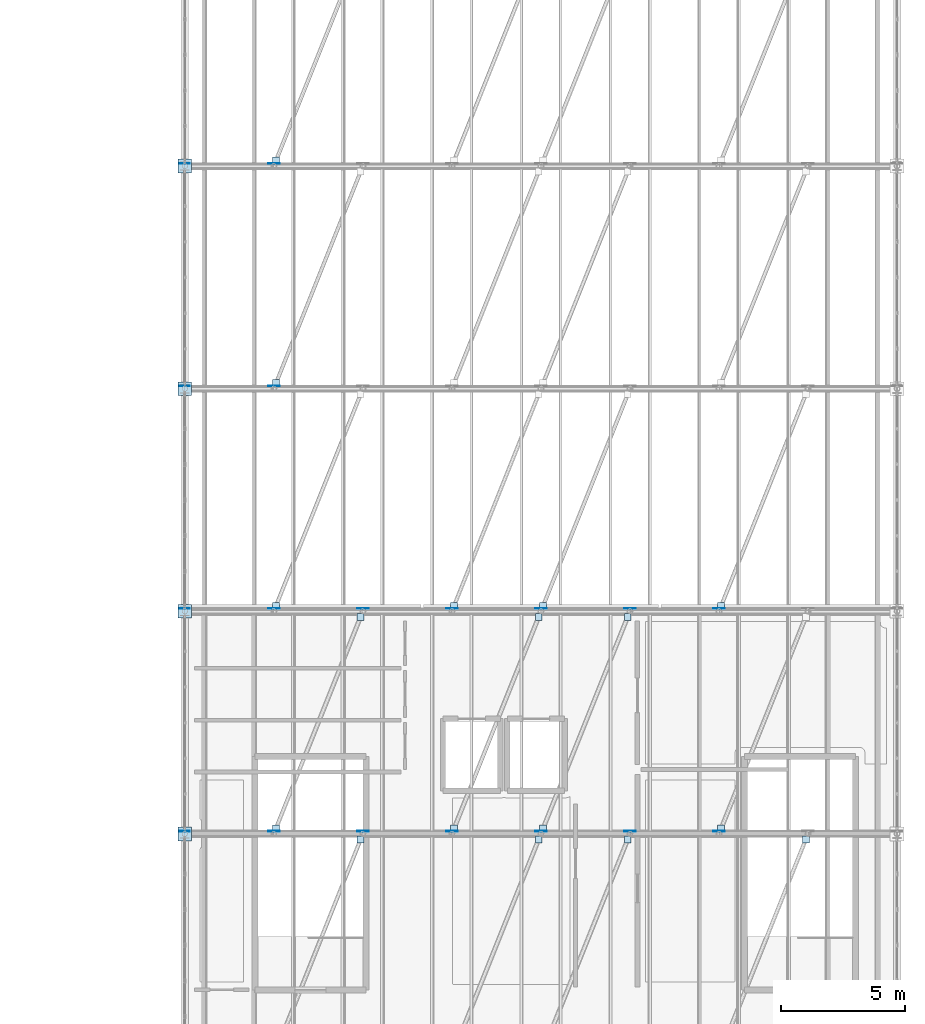
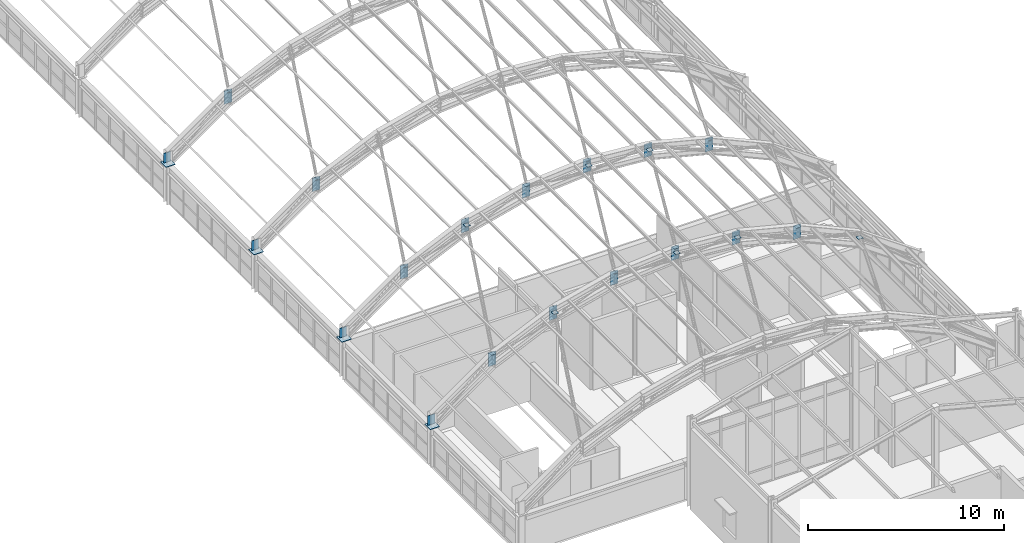
# One storey, part 109 of 121: 39 plates.
"""IFC4 building model written with IfcOpenShell, lengths in metres."""

from ifc_helpers import new_model, si_unit, direction, frame, origin, origin_2d, place, context, subcontext, project, spatial, rectangle, extrude, material, layer, layer_set, type_object, element, save


model = new_model("IFC4")

# Units and contexts
model_context = context("Model", 3, precision=1e-05, world=origin(), true_north=direction((0.0, 1.0)))
body_context = subcontext(model_context, "Body", "Model", "MODEL_VIEW")
ifc_project = project(units=[si_unit("LENGTHUNIT", "METRE"), si_unit("AREAUNIT", "SQUARE_METRE"), si_unit("VOLUMEUNIT", "CUBIC_METRE"), si_unit("PLANEANGLEUNIT", "RADIAN"), si_unit("MASSUNIT", "GRAM", prefix="KILO")], contexts=[model_context])

# Site, building, storey
site_placement = place(None, origin())
site = spatial("IfcSite", under=ifc_project, at=site_placement, CompositionType="ELEMENT")
building_placement = place(site_placement, origin())
building = spatial("IfcBuilding", under=site, at=building_placement, Name="Canglan Escarpment Cableway Terminal", CompositionType="ELEMENT")
storey_placement = place(building_placement, frame((0.0, 0.0, 24.60009765625)))
storey = spatial("IfcBuildingStorey", under=building, at=storey_placement, Name="L05", CompositionType="ELEMENT", Elevation=24.60009765625)

# Plates
ifc_material = material(Name="Steel Q355B", Category="steel")
ifc_layer_1 = layer(ifc_material, 0.031982421875, Name="Steel Q355B")
ifc_layer_set_1 = layer_set([ifc_layer_1], Name="Steel Q355B")
plate_type_1 = type_object("IfcPlateType", Name="PLT-BASE-32", PredefinedType="USERDEFINED", material=ifc_layer_set_1)
for number, where, z_axis, x_axis, name in (
    (1, (137.60009765625, 43.0, 2.4326171875), (0.0, 0.0, 1.0), (1.0, 0.0, 0.0), "Arch springing base plate BP-01"),
    (2, (137.60009765625, 52.0, 2.4326171875), (0.0, 0.0, 1.0), (1.0, 0.0, 0.0), "Arch springing base plate BP-01"),
    (3, (137.60009765625, 61.0, 2.4326171875), (0.0, 0.0, 1.0), (1.0, 0.0, 0.0), "Arch springing base plate BP-01"),
    (4, (137.60009765625, 70.0, 2.4326171875), (0.0, 0.0, 1.0), (1.0, 0.0, 0.0), "Arch springing base plate BP-01"),
):
    element("IfcPlate", number, at=place(storey_placement, frame(where, z_axis=z_axis, x_axis=x_axis)), inside=storey, type_object=plate_type_1, Name=name, ObjectType="BASE PLATE", PredefinedType="USERDEFINED", context=body_context, shape_type="SweptSolid", body=[
        extrude(rectangle(XDim=0.56005859375, YDim=0.56005859375, at=origin_2d()), origin(), (0.0, 0.0, 1.0), 0.031982421875),
    ])
ifc_layer_2 = layer(ifc_material, 0.01611328125, Name="Steel Q355B")
ifc_layer_set_2 = layer_set([ifc_layer_2], Name="Steel Q355B")
plate_type_2 = type_object("IfcPlateType", Name="PLT-GUSSET-16", PredefinedType="USERDEFINED", material=ifc_layer_set_2)
for number, where, z_axis, x_axis, name in (
    (5, (144.7109375, 42.777099609375, 7.140380859375), (0.0, 0.0, 1.0), (1.0, 0.0, 0.0), "Roof wind brace end gusset plate GP-03"),
    (6, (151.910888671875, 42.777099609375, 8.351806640625), (0.0, 0.0, 1.0), (1.0, 0.0, 0.0), "Roof wind brace end gusset plate GP-03"),
    (7, (155.510986328125, 42.777099609375, 8.055419921875), (0.0, 0.0, 1.0), (1.0, 0.0, 0.0), "Roof wind brace end gusset plate GP-03"),
    (8, (162.7109375, 42.777099609375, 5.5185546875), (0.0, 0.0, 1.0), (1.0, 0.0, 0.0), "Roof wind brace end gusset plate GP-03"),
    (9, (141.2890625, 43.222900390625, 5.5185546875), (0.0, 0.0, 1.0), (1.0, 0.0, 0.0), "Roof wind brace end gusset plate GP-03"),
    (10, (144.7109375, 51.777099609375, 7.140380859375), (0.0, 0.0, 1.0), (1.0, 0.0, 0.0), "Roof wind brace end gusset plate GP-03"),
    (11, (148.489013671875, 43.222900390625, 8.055419921875), (0.0, 0.0, 1.0), (1.0, 0.0, 0.0), "Roof wind brace end gusset plate GP-03"),
    (12, (151.910888671875, 51.777099609375, 8.351806640625), (0.0, 0.0, 1.0), (1.0, 0.0, 0.0), "Roof wind brace end gusset plate GP-03"),
    (13, (152.089111328125, 43.222900390625, 8.351806640625), (0.0, 0.0, 1.0), (1.0, 0.0, 0.0), "Roof wind brace end gusset plate GP-03"),
    (14, (155.510986328125, 51.777099609375, 8.055419921875), (0.0, 0.0, 1.0), (1.0, 0.0, 0.0), "Roof wind brace end gusset plate GP-03"),
    (15, (159.2890625, 43.222900390625, 7.140380859375), (0.0, 0.0, 1.0), (1.0, 0.0, 0.0), "Roof wind brace end gusset plate GP-03"),
    (16, (141.2890625, 52.222900390625, 5.5185546875), (0.0, 0.0, 1.0), (1.0, 0.0, 0.0), "Roof wind brace end gusset plate GP-03"),
    (17, (148.489013671875, 52.222900390625, 8.055419921875), (0.0, 0.0, 1.0), (1.0, 0.0, 0.0), "Roof wind brace end gusset plate GP-03"),
    (18, (152.089111328125, 52.222900390625, 8.351806640625), (0.0, 0.0, 1.0), (1.0, 0.0, 0.0), "Roof wind brace end gusset plate GP-03"),
    (19, (159.2890625, 52.222900390625, 7.140380859375), (0.0, 0.0, 1.0), (1.0, 0.0, 0.0), "Roof wind brace end gusset plate GP-03"),
    (20, (141.2890625, 61.222900390625, 5.5185546875), (0.0, 0.0, 1.0), (1.0, 0.0, 0.0), "Roof wind brace end gusset plate GP-03"),
    (21, (141.2890625, 70.222900390625, 5.5185546875), (0.0, 0.0, 1.0), (1.0, 0.0, 0.0), "Roof wind brace end gusset plate GP-03"),
):
    element("IfcPlate", number, at=place(storey_placement, frame(where, z_axis=z_axis, x_axis=x_axis)), inside=storey, type_object=plate_type_2, Name=name, ObjectType="GUSSET PLATE", PredefinedType="USERDEFINED", context=body_context, shape_type="SweptSolid", body=[
        extrude(rectangle(XDim=0.280029296875, YDim=0.280029296875, at=origin_2d()), origin(), (0.0, 0.0, 1.0), 0.01611328125),
    ])
ifc_layer_3 = layer(ifc_material, 0.02392578125, Name="Steel Q355B")
ifc_layer_set_3 = layer_set([ifc_layer_3], Name="Steel Q355B")
plate_type_3 = type_object("IfcPlateType", Name="PLT-GUSSET-24", PredefinedType="USERDEFINED", material=ifc_layer_set_3)
for number, where, z_axis, x_axis, name in (
    (22, (141.199951171875, 43.10498046875, 4.87646484375), (0.0, 0.0, 1.0), (1.0, 0.0, 0.0), "Arch-truss node gusset plate GP-01"),
    (23, (144.800048828125, 43.10498046875, 6.498291015625), (0.0, 0.0, 1.0), (1.0, 0.0, 0.0), "Arch-truss node gusset plate GP-01"),
    (24, (148.39990234375, 43.10498046875, 7.413330078125), (0.0, 0.0, 1.0), (1.0, 0.0, 0.0), "Arch-truss node gusset plate GP-01"),
    (25, (152.0, 43.10498046875, 7.7099609375), (0.0, 0.0, 1.0), (1.0, 0.0, 0.0), "Arch-truss node gusset plate GP-01"),
    (26, (155.60009765625, 43.10498046875, 7.413330078125), (0.0, 0.0, 1.0), (1.0, 0.0, 0.0), "Arch-truss node gusset plate GP-01"),
    (27, (159.199951171875, 43.10498046875, 6.498291015625), (0.0, 0.0, 1.0), (1.0, 0.0, 0.0), "Arch-truss node gusset plate GP-01"),
):
    element("IfcPlate", number, at=place(storey_placement, frame(where, z_axis=z_axis, x_axis=x_axis)), inside=storey, type_object=plate_type_3, Name=name, ObjectType="GUSSET PLATE", PredefinedType="USERDEFINED", context=body_context, shape_type="SweptSolid", body=[
        extrude(rectangle(XDim=0.4599609375, YDim=0.02392578125, at=origin_2d()), origin(), (0.0, 0.0, 1.0), 0.830078125),
    ])
plate_1_placement = place(storey_placement, frame((137.60009765625, 43.10498046875, 2.4521484375), z_axis=(0.0, 0.0, 1.0), x_axis=(1.0, 0.0, 0.0)))
element("IfcPlate", 28, at=plate_1_placement, inside=storey, type_object=plate_type_3, Name="Arch-truss springing gusset plate GP-01", ObjectType="GUSSET PLATE", PredefinedType="USERDEFINED", context=body_context, shape_type="SweptSolid", body=[
    extrude(rectangle(XDim=0.419921875, YDim=0.02392578125, at=origin_2d()), origin(), (0.0, 0.0, 1.0), 0.610107421875),
])
for number, where, z_axis, x_axis, name in (
    (29, (141.199951171875, 52.10498046875, 4.87646484375), (0.0, 0.0, 1.0), (1.0, 0.0, 0.0), "Arch-truss node gusset plate GP-01"),
    (30, (144.800048828125, 52.10498046875, 6.498291015625), (0.0, 0.0, 1.0), (1.0, 0.0, 0.0), "Arch-truss node gusset plate GP-01"),
    (31, (148.39990234375, 52.10498046875, 7.413330078125), (0.0, 0.0, 1.0), (1.0, 0.0, 0.0), "Arch-truss node gusset plate GP-01"),
    (32, (152.0, 52.10498046875, 7.7099609375), (0.0, 0.0, 1.0), (1.0, 0.0, 0.0), "Arch-truss node gusset plate GP-01"),
    (33, (155.60009765625, 52.10498046875, 7.413330078125), (0.0, 0.0, 1.0), (1.0, 0.0, 0.0), "Arch-truss node gusset plate GP-01"),
    (34, (159.199951171875, 52.10498046875, 6.498291015625), (0.0, 0.0, 1.0), (1.0, 0.0, 0.0), "Arch-truss node gusset plate GP-01"),
):
    element("IfcPlate", number, at=place(storey_placement, frame(where, z_axis=z_axis, x_axis=x_axis)), inside=storey, type_object=plate_type_3, Name=name, ObjectType="GUSSET PLATE", PredefinedType="USERDEFINED", context=body_context, shape_type="SweptSolid", body=[
        extrude(rectangle(XDim=0.4599609375, YDim=0.02392578125, at=origin_2d()), origin(), (0.0, 0.0, 1.0), 0.830078125),
    ])
plate_2_placement = place(storey_placement, frame((137.60009765625, 52.10498046875, 2.4521484375), z_axis=(0.0, 0.0, 1.0), x_axis=(1.0, 0.0, 0.0)))
element("IfcPlate", 35, at=plate_2_placement, inside=storey, type_object=plate_type_3, Name="Arch-truss springing gusset plate GP-01", ObjectType="GUSSET PLATE", PredefinedType="USERDEFINED", context=body_context, shape_type="SweptSolid", body=[
    extrude(rectangle(XDim=0.419921875, YDim=0.02392578125, at=origin_2d()), origin(), (0.0, 0.0, 1.0), 0.610107421875),
])
plate_3_placement = place(storey_placement, frame((141.199951171875, 61.10498046875, 4.87646484375), z_axis=(0.0, 0.0, 1.0), x_axis=(1.0, 0.0, 0.0)))
element("IfcPlate", 36, at=plate_3_placement, inside=storey, type_object=plate_type_3, Name="Arch-truss node gusset plate GP-01", ObjectType="GUSSET PLATE", PredefinedType="USERDEFINED", context=body_context, shape_type="SweptSolid", body=[
    extrude(rectangle(XDim=0.4599609375, YDim=0.02392578125, at=origin_2d()), origin(), (0.0, 0.0, 1.0), 0.830078125),
])
plate_4_placement = place(storey_placement, frame((137.60009765625, 61.10498046875, 2.4521484375), z_axis=(0.0, 0.0, 1.0), x_axis=(1.0, 0.0, 0.0)))
element("IfcPlate", 37, at=plate_4_placement, inside=storey, type_object=plate_type_3, Name="Arch-truss springing gusset plate GP-01", ObjectType="GUSSET PLATE", PredefinedType="USERDEFINED", context=body_context, shape_type="SweptSolid", body=[
    extrude(rectangle(XDim=0.419921875, YDim=0.02392578125, at=origin_2d()), origin(), (0.0, 0.0, 1.0), 0.610107421875),
])
plate_5_placement = place(storey_placement, frame((141.199951171875, 70.10498046875, 4.87646484375), z_axis=(0.0, 0.0, 1.0), x_axis=(1.0, 0.0, 0.0)))
element("IfcPlate", 38, at=plate_5_placement, inside=storey, type_object=plate_type_3, Name="Arch-truss node gusset plate GP-01", ObjectType="GUSSET PLATE", PredefinedType="USERDEFINED", context=body_context, shape_type="SweptSolid", body=[
    extrude(rectangle(XDim=0.4599609375, YDim=0.02392578125, at=origin_2d()), origin(), (0.0, 0.0, 1.0), 0.830078125),
])
plate_6_placement = place(storey_placement, frame((137.60009765625, 70.10498046875, 2.4521484375), z_axis=(0.0, 0.0, 1.0), x_axis=(1.0, 0.0, 0.0)))
element("IfcPlate", 39, at=plate_6_placement, inside=storey, type_object=plate_type_3, Name="Arch-truss springing gusset plate GP-01", ObjectType="GUSSET PLATE", PredefinedType="USERDEFINED", context=body_context, shape_type="SweptSolid", body=[
    extrude(rectangle(XDim=0.419921875, YDim=0.02392578125, at=origin_2d()), origin(), (0.0, 0.0, 1.0), 0.610107421875),
])

save(model, "model.ifc")
